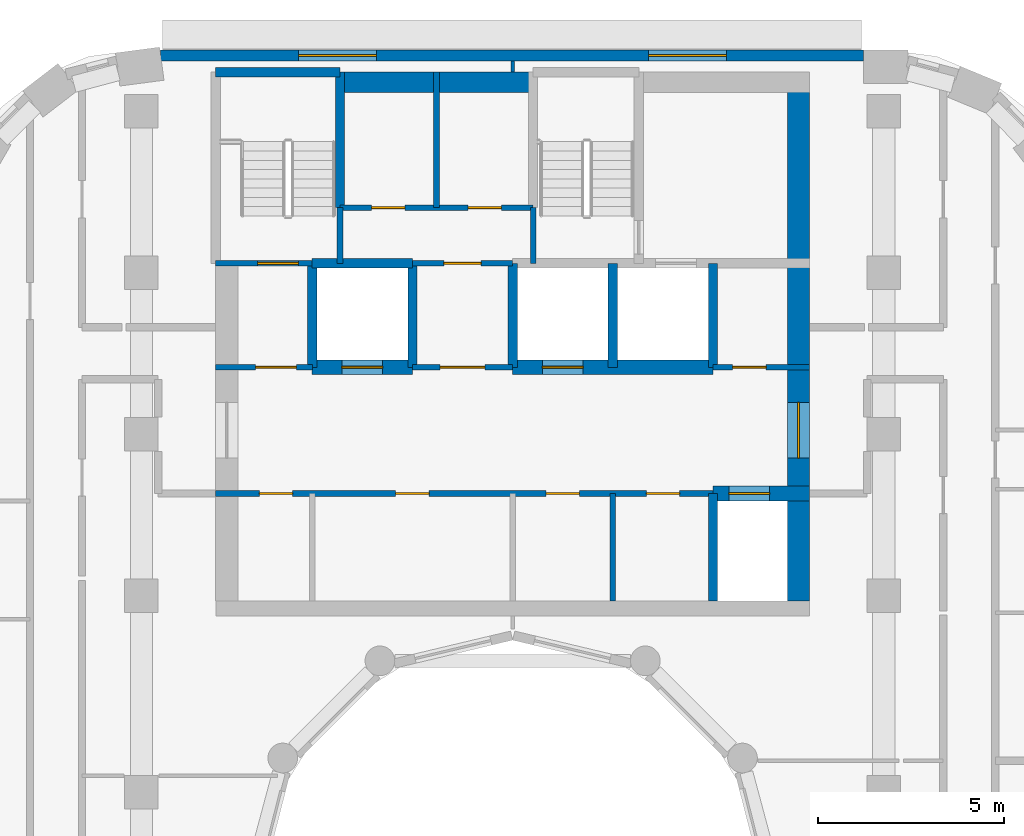
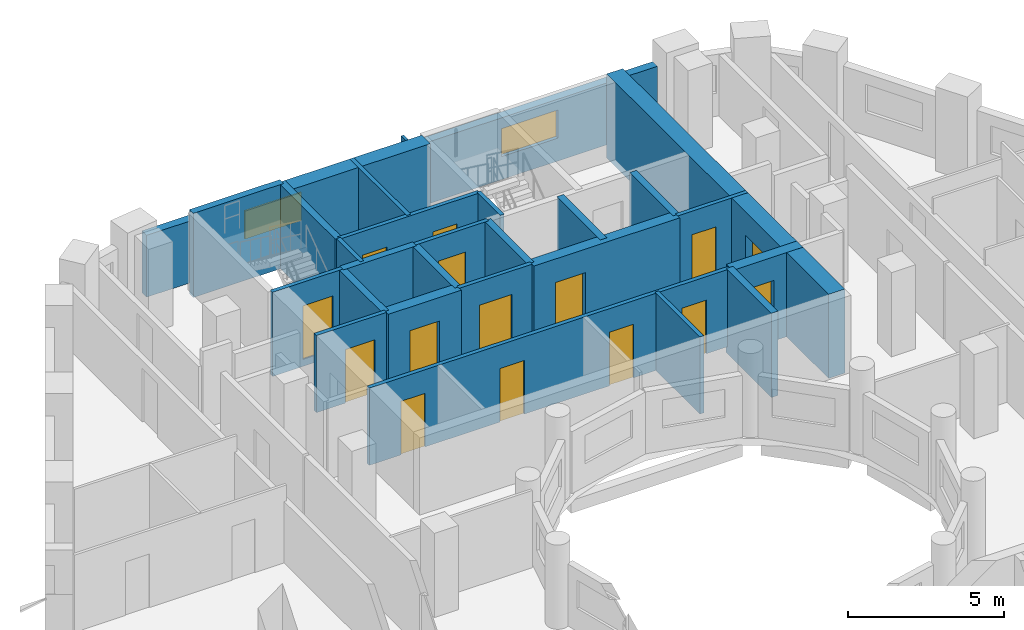
# One storey, part 8 of 16: 27 walls, 15 doors, 2 windows, 17 openings.
"""IFC4 building model written with IfcOpenShell, lengths in metres."""

from ifc_helpers import new_model, si_unit, direction, frame, frame_2d, origin, place, context, subcontext, project, spatial, rectangle, extrude, material, layer, layer_set, type_object, element, fill, save


model = new_model("IFC4")

# Units and contexts
model_context = context("Model", 3, precision=1e-05, world=origin(), true_north=direction((0.0, 1.0)))
body_context = subcontext(model_context, "Body", "Model", "MODEL_VIEW")
ifc_project = project(units=[si_unit("LENGTHUNIT", "METRE"), si_unit("AREAUNIT", "SQUARE_METRE"), si_unit("VOLUMEUNIT", "CUBIC_METRE"), si_unit("PLANEANGLEUNIT", "RADIAN"), si_unit("MASSUNIT", "GRAM", prefix="KILO")], contexts=[model_context])

# Site, building, storey
site_placement = place(None, origin())
site = spatial("IfcSite", under=ifc_project, at=site_placement, CompositionType="ELEMENT")
building_placement = place(site_placement, origin())
building = spatial("IfcBuilding", under=site, at=building_placement, Name="Nakaniwa Court", CompositionType="ELEMENT")
storey_placement = place(building_placement, frame((0.0, 0.0, 199.800048828125)))
storey = spatial("IfcBuildingStorey", under=building, at=storey_placement, Name="L52", CompositionType="ELEMENT", Elevation=199.800048828125)

# Wall, openings, windows
ifc_material_1 = material(Name="Charcoal ceramic cladding")
ifc_layer_1 = layer(ifc_material_1, 0.02, Name="Ceramic cladding")
ifc_material_2 = material(Name="Ventilated air cavity")
ifc_layer_2 = layer(ifc_material_2, 0.04, ventilated=True, Name="Ventilated cavity")
ifc_material_3 = material(Name="Mineral wool insulation")
ifc_layer_3 = layer(ifc_material_3, 0.1, Name="Insulation")
ifc_material_4 = material(Name="Cement bonded sheathing board")
ifc_layer_4 = layer(ifc_material_4, 0.012, Name="Sheathing")
ifc_material_5 = material(Name="Cold-formed galvanised stud frame with mineral wool infill")
ifc_layer_5 = layer(ifc_material_5, 0.1, Name="Stud frame")
ifc_material_6 = material(Name="Fire-rated gypsum plasterboard lining")
ifc_layer_6 = layer(ifc_material_6, 0.028, Name="Lining")
ifc_layer_set_1 = layer_set([ifc_layer_1, ifc_layer_2, ifc_layer_3, ifc_layer_4, ifc_layer_5, ifc_layer_6], Name="Charcoal ceramic faced external wall system")
wall_type_1 = type_object("IfcWallType", Name="Black ceramic faced external wall 300", PredefinedType="SOLIDWALL", material=ifc_layer_set_1)
wall_1_placement = place(storey_placement, frame((89.44921875, 102.5, 0.0), z_axis=(0.0, 0.0, 1.0), x_axis=(-1.0, 0.0, 0.0)))
wall_1 = element("IfcWall", 1, at=wall_1_placement, inside=storey, type_object=wall_type_1, Name="L52 external wall 08", PredefinedType="SOLIDWALL", context=body_context, shape_type="SweptSolid", body=[
    extrude(rectangle(XDim=18.932861328125, YDim=0.300048828125, at=frame_2d((9.46630859375, 0.0))), origin(), (0.0, 0.0, 1.0), 2.425048828125),
])
opening_1_placement = place(wall_1_placement, frame((3.6865234375, 0.0, 0.89990234375)))
opening_1 = element("IfcOpeningElement", 2, at=opening_1_placement, cuts=wall_1, Name="Opening W7.10", PredefinedType="OPENING", context=body_context, shape_type="SweptSolid", body=[
    extrude(rectangle(XDim=2.10009765625, YDim=1.10009765625, at=frame_2d((1.050048828125, 0.550048828125))), frame((0.0, 0.159912109375, 0.0), z_axis=(0.0, -1.0, 0.0), x_axis=(1.0, 0.0, 0.0)), (0.0, 0.0, 1.0), 0.320068359375),
])
opening_2_placement = place(wall_1_placement, frame((13.117919921875, 0.0, 0.89990234375)))
opening_2 = element("IfcOpeningElement", 3, at=opening_2_placement, cuts=wall_1, Name="Opening W7.11", PredefinedType="OPENING", context=body_context, shape_type="SweptSolid", body=[
    extrude(rectangle(XDim=2.10009765625, YDim=1.10009765625, at=frame_2d((1.050048828125, 0.550048828125))), frame((0.0, 0.159912109375, 0.0), z_axis=(0.0, -1.0, 0.0), x_axis=(1.0, 0.0, 0.0)), (0.0, 0.0, 1.0), 0.320068359375),
])
ifc_material_7 = material(Name="Black anodised aluminium frame with dark low-E laminated double glazing", Category="aluminium")
window_type = type_object("IfcWindowType", Name="Dark glass window 2100x1100 sill 900", PartitioningType="SINGLE_PANEL", PredefinedType="WINDOW", material=ifc_material_7)
window_1_placement = place(opening_1_placement, origin())
window_1 = element("IfcWindow", 4, at=window_1_placement, inside=storey, type_object=window_type, Name="L52 habitable room window 08-0", OverallHeight=1.10009765625, OverallWidth=2.10009765625, PartitioningType="SINGLE_PANEL", PredefinedType="WINDOW", context=body_context, shape_type="SweptSolid", body=[
    extrude(rectangle(XDim=2.10009765625, YDim=1.10009765625, at=frame_2d((1.050048828125, 0.550048828125))), frame((0.0, 0.030029296875, 0.0), z_axis=(0.0, -1.0, 0.0), x_axis=(1.0, 0.0, 0.0)), (0.0, 0.0, 1.0), 0.06005859375),
])
fill(opening_1, window_1)
window_2_placement = place(opening_2_placement, origin())
window_2 = element("IfcWindow", 5, at=window_2_placement, inside=storey, type_object=window_type, Name="L52 habitable room window 08-1", OverallHeight=1.10009765625, OverallWidth=2.10009765625, PartitioningType="SINGLE_PANEL", PredefinedType="WINDOW", context=body_context, shape_type="SweptSolid", body=[
    extrude(rectangle(XDim=2.10009765625, YDim=1.10009765625, at=frame_2d((1.050048828125, 0.550048828125))), frame((0.0, 0.030029296875, 0.0), z_axis=(0.0, -1.0, 0.0), x_axis=(1.0, 0.0, 0.0)), (0.0, 0.0, 1.0), 0.06005859375),
])
fill(opening_2, window_2)

# Wall, openings, doors
ifc_material_8 = material(Name="Blockwork partition", Category="masonry")
ifc_layer_7 = layer(ifc_material_8, 0.14990234375)
ifc_layer_set_2 = layer_set([ifc_layer_7], Name="Blockwork partition")
wall_type_2 = type_object("IfcWallType", Name="Blockwork partition 150", PredefinedType="PARTITIONING", material=ifc_layer_set_2)
wall_2_placement = place(storey_placement, frame((85.39990234375, 90.699951171875, 0.0), z_axis=(0.0, 0.0, 1.0), x_axis=(-1.0, 0.0, 0.0)))
wall_2 = element("IfcWall", 6, at=wall_2_placement, inside=storey, type_object=wall_type_2, Name="Partition PW-002", PredefinedType="PARTITIONING", context=body_context, shape_type="SweptSolid", body=[
    extrude(rectangle(XDim=13.39990234375, YDim=0.14990234375, at=frame_2d((6.699951171875, 0.0))), origin(), (0.0, 0.0, 1.0), 3.02490234375),
])
opening_3_placement = place(wall_2_placement, frame((11.324951171875, 0.0, 0.0)))
opening_3 = element("IfcOpeningElement", 7, at=opening_3_placement, cuts=wall_2, Name="Opening D-05-01", PredefinedType="OPENING", context=body_context, shape_type="SweptSolid", body=[
    extrude(rectangle(XDim=0.89990234375, YDim=2.10009765625, at=frame_2d((0.449951171875, 1.050048828125))), frame((0.0, 0.0849609375, 0.0), z_axis=(0.0, -1.0, 0.0), x_axis=(1.0, 0.0, 0.0)), (0.0, 0.0, 1.0), 0.169921875),
])
opening_4_placement = place(wall_2_placement, frame((7.64990234375, 0.0, 0.0)))
opening_4 = element("IfcOpeningElement", 8, at=opening_4_placement, cuts=wall_2, Name="Opening D-05-02", PredefinedType="OPENING", context=body_context, shape_type="SweptSolid", body=[
    extrude(rectangle(XDim=0.89990234375, YDim=2.10009765625, at=frame_2d((0.449951171875, 1.050048828125))), frame((0.0, 0.0849609375, 0.0), z_axis=(0.0, -1.0, 0.0), x_axis=(1.0, 0.0, 0.0)), (0.0, 0.0, 1.0), 0.169921875),
])
opening_5_placement = place(wall_2_placement, frame((3.60009765625, 0.0, 0.0)))
opening_5 = element("IfcOpeningElement", 9, at=opening_5_placement, cuts=wall_2, Name="Opening D-05-03", PredefinedType="OPENING", context=body_context, shape_type="SweptSolid", body=[
    extrude(rectangle(XDim=0.89990234375, YDim=2.10009765625, at=frame_2d((0.449951171875, 1.050048828125))), frame((0.0, 0.0849609375, 0.0), z_axis=(0.0, -1.0, 0.0), x_axis=(1.0, 0.0, 0.0)), (0.0, 0.0, 1.0), 0.169921875),
])
opening_6_placement = place(wall_2_placement, frame((0.89990234375, 0.0, 0.0)))
opening_6 = element("IfcOpeningElement", 10, at=opening_6_placement, cuts=wall_2, Name="Opening D-05-04", PredefinedType="OPENING", context=body_context, shape_type="SweptSolid", body=[
    extrude(rectangle(XDim=0.89990234375, YDim=2.10009765625, at=frame_2d((0.449951171875, 1.050048828125))), frame((0.0, 0.0849609375, 0.0), z_axis=(0.0, -1.0, 0.0), x_axis=(1.0, 0.0, 0.0)), (0.0, 0.0, 1.0), 0.169921875),
])
ifc_material_9 = material(Name="Fire rated steel door set", Category="steel")
door_type_1 = type_object("IfcDoorType", Name="Service room door 900", OperationType="NOTDEFINED", PredefinedType="DOOR", material=ifc_material_9)
door_1_placement = place(opening_3_placement, origin())
door_1 = element("IfcDoor", 11, at=door_1_placement, inside=storey, type_object=door_type_1, Name="Door D-05-01 L52-001", OperationType="SINGLE_SWING_RIGHT", OverallHeight=2.10009765625, OverallWidth=0.89990234375, PredefinedType="DOOR", context=body_context, shape_type="SweptSolid", body=[
    extrude(rectangle(XDim=0.89990234375, YDim=2.10009765625, at=frame_2d((0.449951171875, 1.050048828125))), frame((0.0, 0.02490234375, 0.0), z_axis=(0.0, -1.0, 0.0), x_axis=(1.0, 0.0, 0.0)), (0.0, 0.0, 1.0), 0.050048828125),
])
fill(opening_3, door_1)
door_2_placement = place(opening_4_placement, origin())
door_2 = element("IfcDoor", 12, at=door_2_placement, inside=storey, type_object=door_type_1, Name="Door D-05-02 L52-002", OperationType="SINGLE_SWING_LEFT", OverallHeight=2.10009765625, OverallWidth=0.89990234375, PredefinedType="DOOR", context=body_context, shape_type="SweptSolid", body=[
    extrude(rectangle(XDim=0.89990234375, YDim=2.10009765625, at=frame_2d((0.449951171875, 1.050048828125))), frame((0.0, 0.02490234375, 0.0), z_axis=(0.0, -1.0, 0.0), x_axis=(1.0, 0.0, 0.0)), (0.0, 0.0, 1.0), 0.050048828125),
])
fill(opening_4, door_2)
door_3_placement = place(opening_5_placement, origin())
door_3 = element("IfcDoor", 13, at=door_3_placement, inside=storey, type_object=door_type_1, Name="Door D-05-03 L52-003", OperationType="SINGLE_SWING_RIGHT", OverallHeight=2.10009765625, OverallWidth=0.89990234375, PredefinedType="DOOR", context=body_context, shape_type="SweptSolid", body=[
    extrude(rectangle(XDim=0.89990234375, YDim=2.10009765625, at=frame_2d((0.449951171875, 1.050048828125))), frame((0.0, 0.02490234375, 0.0), z_axis=(0.0, -1.0, 0.0), x_axis=(1.0, 0.0, 0.0)), (0.0, 0.0, 1.0), 0.050048828125),
])
fill(opening_5, door_3)
door_4_placement = place(opening_6_placement, origin())
door_4 = element("IfcDoor", 14, at=door_4_placement, inside=storey, type_object=door_type_1, Name="Door D-05-04 L52-004", OperationType="SINGLE_SWING_LEFT", OverallHeight=2.10009765625, OverallWidth=0.89990234375, PredefinedType="DOOR", context=body_context, shape_type="SweptSolid", body=[
    extrude(rectangle(XDim=0.89990234375, YDim=2.10009765625, at=frame_2d((0.449951171875, 1.050048828125))), frame((0.0, 0.02490234375, 0.0), z_axis=(0.0, -1.0, 0.0), x_axis=(1.0, 0.0, 0.0)), (0.0, 0.0, 1.0), 0.050048828125),
])
fill(opening_6, door_4)

# Wall
wall_3_placement = place(storey_placement, frame((82.699951171875, 87.800048828125, 0.0), z_axis=(0.0, 0.0, 1.0), x_axis=(0.0, 1.0, 0.0)))
element("IfcWall", 15, at=wall_3_placement, inside=storey, type_object=wall_type_2, Name="Partition PW-009", PredefinedType="PARTITIONING", context=body_context, shape_type="SweptSolid", body=[
    extrude(rectangle(XDim=2.89990234375, YDim=0.14990234375, at=frame_2d((1.449951171875, 0.0))), origin(), (0.0, 0.0, 1.0), 3.02490234375),
])

# Wall, opening, door
wall_4_placement = place(storey_placement, frame((72.0, 94.10009765625, 0.0), z_axis=(0.0, 0.0, 1.0), x_axis=(1.0, 0.0, 0.0)))
wall_4 = element("IfcWall", 16, at=wall_4_placement, inside=storey, type_object=wall_type_2, Name="Partition PW-010", PredefinedType="PARTITIONING", context=body_context, shape_type="SweptSolid", body=[
    extrude(rectangle(XDim=2.60302734375, YDim=0.14990234375, at=frame_2d((1.301513671875, 0.0))), origin(), (0.0, 0.0, 1.0), 3.02490234375),
])
opening_7_placement = place(wall_4_placement, frame((1.074951171875, 0.0, 0.0)))
opening_7 = element("IfcOpeningElement", 17, at=opening_7_placement, cuts=wall_4, Name="Opening D-08-01", PredefinedType="OPENING", context=body_context, shape_type="SweptSolid", body=[
    extrude(rectangle(XDim=1.10009765625, YDim=2.10009765625, at=frame_2d((0.550048828125, 1.050048828125))), frame((0.0, 0.0849609375, 0.0), z_axis=(0.0, -1.0, 0.0), x_axis=(1.0, 0.0, 0.0)), (0.0, 0.0, 1.0), 0.169921875),
])
door_type_2 = type_object("IfcDoorType", Name="Stair lobby door 1100", OperationType="NOTDEFINED", PredefinedType="DOOR", material=ifc_material_9)
door_5_placement = place(opening_7_placement, origin())
door_5 = element("IfcDoor", 18, at=door_5_placement, inside=storey, type_object=door_type_2, Name="Door D-08-01 L52-005", OperationType="SINGLE_SWING_RIGHT", OverallHeight=2.10009765625, OverallWidth=1.10009765625, PredefinedType="DOOR", context=body_context, shape_type="SweptSolid", body=[
    extrude(rectangle(XDim=1.10009765625, YDim=2.10009765625, at=frame_2d((0.550048828125, 1.050048828125))), frame((0.0, 0.02490234375, 0.0), z_axis=(0.0, -1.0, 0.0), x_axis=(1.0, 0.0, 0.0)), (0.0, 0.0, 1.0), 0.050048828125),
])
fill(opening_7, door_5)

wall_5_placement = place(storey_placement, frame((77.297119140625, 94.10009765625, 0.0), z_axis=(0.0, 0.0, 1.0), x_axis=(1.0, 0.0, 0.0)))
wall_5 = element("IfcWall", 19, at=wall_5_placement, inside=storey, type_object=wall_type_2, Name="Partition PW-011", PredefinedType="PARTITIONING", context=body_context, shape_type="SweptSolid", body=[
    extrude(rectangle(XDim=2.705810546875, YDim=0.14990234375, at=frame_2d((1.35302734375, 0.0))), origin(), (0.0, 0.0, 1.0), 3.02490234375),
])
opening_8_placement = place(wall_5_placement, frame((0.7529296875, 0.0, 0.0)))
opening_8 = element("IfcOpeningElement", 20, at=opening_8_placement, cuts=wall_5, Name="Opening D-06-01", PredefinedType="OPENING", context=body_context, shape_type="SweptSolid", body=[
    extrude(rectangle(XDim=1.199951171875, YDim=2.10009765625, at=frame_2d((0.60009765625, 1.050048828125))), frame((0.0, 0.0849609375, 0.0), z_axis=(0.0, -1.0, 0.0), x_axis=(1.0, 0.0, 0.0)), (0.0, 0.0, 1.0), 0.169921875),
])
ifc_material_10 = material(Name="Fire rated steel double door set", Category="steel")
door_type_3 = type_object("IfcDoorType", Name="Service passage double door 1200", OperationType="NOTDEFINED", PredefinedType="DOOR", material=ifc_material_10)
door_6_placement = place(opening_8_placement, origin())
door_6 = element("IfcDoor", 21, at=door_6_placement, inside=storey, type_object=door_type_3, Name="Door D-06-01 L52-006", OperationType="DOUBLE_DOOR_SINGLE_SWING", OverallHeight=2.10009765625, OverallWidth=1.199951171875, PredefinedType="DOOR", context=body_context, shape_type="SweptSolid", body=[
    extrude(rectangle(XDim=1.199951171875, YDim=2.10009765625, at=frame_2d((0.60009765625, 1.050048828125))), frame((0.0, 0.02490234375, 0.0), z_axis=(0.0, -1.0, 0.0), x_axis=(1.0, 0.0, 0.0)), (0.0, 0.0, 1.0), 0.050048828125),
])
fill(opening_8, door_6)

wall_6_placement = place(storey_placement, frame((85.39697265625, 94.10009765625, 0.0), z_axis=(0.0, 0.0, 1.0), x_axis=(1.0, 0.0, 0.0)))
wall_6 = element("IfcWall", 22, at=wall_6_placement, inside=storey, type_object=wall_type_2, Name="Partition PW-012", PredefinedType="PARTITIONING", context=body_context, shape_type="SweptSolid", body=[
    extrude(rectangle(XDim=2.60302734375, YDim=0.14990234375, at=frame_2d((1.301513671875, 0.0))), origin(), (0.0, 0.0, 1.0), 3.02490234375),
])
opening_9_placement = place(wall_6_placement, frame((0.528076171875, 0.0, 0.0)))
opening_9 = element("IfcOpeningElement", 23, at=opening_9_placement, cuts=wall_6, Name="Opening D-05-05", PredefinedType="OPENING", context=body_context, shape_type="SweptSolid", body=[
    extrude(rectangle(XDim=0.89990234375, YDim=2.10009765625, at=frame_2d((0.449951171875, 1.050048828125))), frame((0.0, 0.0849609375, 0.0), z_axis=(0.0, -1.0, 0.0), x_axis=(1.0, 0.0, 0.0)), (0.0, 0.0, 1.0), 0.169921875),
])
door_7_placement = place(opening_9_placement, origin())
door_7 = element("IfcDoor", 24, at=door_7_placement, inside=storey, type_object=door_type_1, Name="Door D-05-05 L52-007", OperationType="SINGLE_SWING_RIGHT", OverallHeight=2.10009765625, OverallWidth=0.89990234375, PredefinedType="DOOR", context=body_context, shape_type="SweptSolid", body=[
    extrude(rectangle(XDim=0.89990234375, YDim=2.10009765625, at=frame_2d((0.449951171875, 1.050048828125))), frame((0.0, 0.02490234375, 0.0), z_axis=(0.0, -1.0, 0.0), x_axis=(1.0, 0.0, 0.0)), (0.0, 0.0, 1.0), 0.050048828125),
])
fill(opening_9, door_7)

wall_7_placement = place(storey_placement, frame((77.300048828125, 96.89990234375, 0.0), z_axis=(0.0, 0.0, 1.0), x_axis=(1.0, 0.0, 0.0)))
wall_7 = element("IfcWall", 25, at=wall_7_placement, inside=storey, type_object=wall_type_2, Name="Partition PW-021", PredefinedType="PARTITIONING", context=body_context, shape_type="SweptSolid", body=[
    extrude(rectangle(XDim=2.699951171875, YDim=0.14990234375, at=frame_2d((1.35009765625, 0.0))), origin(), (0.0, 0.0, 1.0), 3.02490234375),
])
opening_10_placement = place(wall_7_placement, frame((0.85009765625, 0.0, 0.0)))
opening_10 = element("IfcOpeningElement", 26, at=opening_10_placement, cuts=wall_7, Name="Opening D-23-01", PredefinedType="OPENING", context=body_context, shape_type="SweptSolid", body=[
    extrude(rectangle(XDim=1.0, YDim=2.10009765625, at=frame_2d((0.5, 1.050048828125))), frame((0.0, 0.0849609375, 0.0), z_axis=(0.0, -1.0, 0.0), x_axis=(1.0, 0.0, 0.0)), (0.0, 0.0, 1.0), 0.169921875),
])
door_type_4 = type_object("IfcDoorType", Name="Service room door 1000", OperationType="NOTDEFINED", PredefinedType="DOOR", material=ifc_material_9)
door_8_placement = place(opening_10_placement, origin())
door_8 = element("IfcDoor", 27, at=door_8_placement, inside=storey, type_object=door_type_4, Name="Door D-23-01 L52-008", OperationType="SINGLE_SWING_LEFT", OverallHeight=2.10009765625, OverallWidth=1.0, PredefinedType="DOOR", context=body_context, shape_type="SweptSolid", body=[
    extrude(rectangle(XDim=1.0, YDim=2.10009765625, at=frame_2d((0.5, 1.050048828125))), frame((0.0, 0.02490234375, 0.0), z_axis=(0.0, -1.0, 0.0), x_axis=(1.0, 0.0, 0.0)), (0.0, 0.0, 1.0), 0.050048828125),
])
fill(opening_10, door_8)

# Wall, openings, doors
wall_8_placement = place(storey_placement, frame((75.35009765625, 98.39990234375, 0.0), z_axis=(0.0, 0.0, 1.0), x_axis=(1.0, 0.0, 0.0)))
wall_8 = element("IfcWall", 28, at=wall_8_placement, inside=storey, type_object=wall_type_2, Name="Partition PW-033", PredefinedType="PARTITIONING", context=body_context, shape_type="SweptSolid", body=[
    extrude(rectangle(XDim=5.199951171875, YDim=0.14990234375, at=frame_2d((2.60009765625, 0.0))), origin(), (0.0, 0.0, 1.0), 3.02490234375),
])
opening_11_placement = place(wall_8_placement, frame((0.85009765625, 0.0, 0.0)))
opening_11 = element("IfcOpeningElement", 29, at=opening_11_placement, cuts=wall_8, Name="Opening D-05-06", PredefinedType="OPENING", context=body_context, shape_type="SweptSolid", body=[
    extrude(rectangle(XDim=0.89990234375, YDim=2.10009765625, at=frame_2d((0.449951171875, 1.050048828125))), frame((0.0, 0.0849609375, 0.0), z_axis=(0.0, -1.0, 0.0), x_axis=(1.0, 0.0, 0.0)), (0.0, 0.0, 1.0), 0.169921875),
])
opening_12_placement = place(wall_8_placement, frame((3.449951171875, 0.0, 0.0)))
opening_12 = element("IfcOpeningElement", 30, at=opening_12_placement, cuts=wall_8, Name="Opening D-05-07", PredefinedType="OPENING", context=body_context, shape_type="SweptSolid", body=[
    extrude(rectangle(XDim=0.89990234375, YDim=2.10009765625, at=frame_2d((0.449951171875, 1.050048828125))), frame((0.0, 0.0849609375, 0.0), z_axis=(0.0, -1.0, 0.0), x_axis=(1.0, 0.0, 0.0)), (0.0, 0.0, 1.0), 0.169921875),
])
door_9_placement = place(opening_11_placement, origin())
door_9 = element("IfcDoor", 31, at=door_9_placement, inside=storey, type_object=door_type_1, Name="Door D-05-06 L52-009", OperationType="SINGLE_SWING_RIGHT", OverallHeight=2.10009765625, OverallWidth=0.89990234375, PredefinedType="DOOR", context=body_context, shape_type="SweptSolid", body=[
    extrude(rectangle(XDim=0.89990234375, YDim=2.10009765625, at=frame_2d((0.449951171875, 1.050048828125))), frame((0.0, 0.02490234375, 0.0), z_axis=(0.0, -1.0, 0.0), x_axis=(1.0, 0.0, 0.0)), (0.0, 0.0, 1.0), 0.050048828125),
])
fill(opening_11, door_9)
door_10_placement = place(opening_12_placement, origin())
door_10 = element("IfcDoor", 32, at=door_10_placement, inside=storey, type_object=door_type_1, Name="Door D-05-07 L52-010", OperationType="SINGLE_SWING_LEFT", OverallHeight=2.10009765625, OverallWidth=0.89990234375, PredefinedType="DOOR", context=body_context, shape_type="SweptSolid", body=[
    extrude(rectangle(XDim=0.89990234375, YDim=2.10009765625, at=frame_2d((0.449951171875, 1.050048828125))), frame((0.0, 0.02490234375, 0.0), z_axis=(0.0, -1.0, 0.0), x_axis=(1.0, 0.0, 0.0)), (0.0, 0.0, 1.0), 0.050048828125),
])
fill(opening_12, door_10)

# Wall
wall_9_placement = place(storey_placement, frame((77.949951171875, 98.39990234375, 0.0), z_axis=(0.0, 0.0, 1.0), x_axis=(0.0, 1.0, 0.0)))
element("IfcWall", 33, at=wall_9_placement, inside=storey, type_object=wall_type_2, Name="Partition PW-034", PredefinedType="PARTITIONING", context=body_context, shape_type="SweptSolid", body=[
    extrude(rectangle(XDim=3.650146484375, YDim=0.14990234375, at=frame_2d((1.8251953125, 0.0))), origin(), (0.0, 0.0, 1.0), 3.02490234375),
])

# Wall, opening, door
ifc_material_11 = material(Name="Concrete C80/100", Category="concrete")
ifc_layer_8 = layer(ifc_material_11, 0.60009765625)
ifc_layer_set_3 = layer_set([ifc_layer_8], Name="Concrete C80/100")
wall_type_3 = type_object("IfcWallType", Name="Concrete core side wall 600 C80", PredefinedType="SHEAR", material=ifc_layer_set_3)
wall_10_placement = place(storey_placement, frame((87.699951171875, 102.050048828125, -0.275146484375), z_axis=(0.0, 0.0, 1.0), x_axis=(0.0, -1.0, 0.0)))
wall_10 = element("IfcWall", 34, at=wall_10_placement, inside=storey, type_object=wall_type_3, Name="Core wall SW-07", PredefinedType="SHEAR", context=body_context, shape_type="SweptSolid", body=[
    extrude(rectangle(XDim=14.25, YDim=0.60009765625, at=frame_2d((7.125, 0.0))), origin(), (0.0, 0.0, 1.0), 3.300048828125),
])
opening_13_placement = place(wall_10_placement, frame((8.89794921875, 0.0, 0.27490234375)))
opening_13 = element("IfcOpeningElement", 35, at=opening_13_placement, cuts=wall_10, Name="Opening D-07-01", PredefinedType="OPENING", context=body_context, shape_type="SweptSolid", body=[
    extrude(rectangle(XDim=1.5, YDim=2.10009765625, at=frame_2d((0.75, 1.050048828125))), frame((0.0, 0.31005859375, 0.0), z_axis=(0.0, -1.0, 0.0), x_axis=(1.0, 0.0, 0.0)), (0.0, 0.0, 1.0), 0.6201171875),
])
ifc_material_12 = material(Name="Glazed fire rated steel double door set", Category="steel")
door_type_5 = type_object("IfcDoorType", Name="Lobby double door 1500", OperationType="NOTDEFINED", PredefinedType="DOOR", material=ifc_material_12)
door_11_placement = place(opening_13_placement, origin())
door_11 = element("IfcDoor", 36, at=door_11_placement, inside=storey, type_object=door_type_5, Name="Door D-07-01 L52-059", OperationType="DOUBLE_DOOR_SINGLE_SWING", OverallHeight=2.10009765625, OverallWidth=1.5, PredefinedType="DOOR", context=body_context, shape_type="SweptSolid", body=[
    extrude(rectangle(XDim=1.5, YDim=2.10009765625, at=frame_2d((0.75, 1.050048828125))), frame((0.0, 0.02490234375, 0.0), z_axis=(0.0, -1.0, 0.0), x_axis=(1.0, 0.0, 0.0)), (0.0, 0.0, 1.0), 0.050048828125),
])
fill(opening_13, door_11)

ifc_layer_9 = layer(ifc_material_11, 0.39990234375)
ifc_layer_set_4 = layer_set([ifc_layer_9], Name="Concrete C80/100")
wall_type_4 = type_object("IfcWallType", Name="Concrete core spine wall 400 C80", PredefinedType="SHEAR", material=ifc_layer_set_4)
wall_11_placement = place(storey_placement, frame((85.39990234375, 90.699951171875, -0.275146484375), z_axis=(0.0, 0.0, 1.0), x_axis=(1.0, 0.0, 0.0)))
wall_11 = element("IfcWall", 37, at=wall_11_placement, inside=storey, type_object=wall_type_4, Name="Core wall SW-06", PredefinedType="SHEAR", context=body_context, shape_type="SweptSolid", body=[
    extrude(rectangle(XDim=2.60009765625, YDim=0.39990234375, at=frame_2d((1.300048828125, 0.0))), origin(), (0.0, 0.0, 1.0), 3.300048828125),
])
opening_14_placement = place(wall_11_placement, frame((0.425048828125, 0.0, 0.27490234375)))
opening_14 = element("IfcOpeningElement", 38, at=opening_14_placement, cuts=wall_11, Name="Opening LD01", PredefinedType="OPENING", context=body_context, shape_type="SweptSolid", body=[
    extrude(rectangle(XDim=1.10009765625, YDim=2.10009765625, at=frame_2d((0.550048828125, 1.050048828125))), frame((0.0, 0.2099609375, 0.0), z_axis=(0.0, -1.0, 0.0), x_axis=(1.0, 0.0, 0.0)), (0.0, 0.0, 1.0), 0.419921875),
])
ifc_material_13 = material(Name="Stainless steel sliding lift landing door", Category="steel")
door_type_6 = type_object("IfcDoorType", Name="Lift landing door 1100", OperationType="NOTDEFINED", PredefinedType="DOOR", material=ifc_material_13)
door_12_placement = place(opening_14_placement, origin())
door_12 = element("IfcDoor", 39, at=door_12_placement, inside=storey, type_object=door_type_6, Name="Lift landing door LD01 L52-001", OperationType="SLIDING_TO_LEFT", OverallHeight=2.10009765625, OverallWidth=1.10009765625, PredefinedType="DOOR", context=body_context, shape_type="SweptSolid", body=[
    extrude(rectangle(XDim=1.10009765625, YDim=2.10009765625, at=frame_2d((0.550048828125, 1.050048828125))), frame((0.0, 0.02490234375, 0.0), z_axis=(0.0, -1.0, 0.0), x_axis=(1.0, 0.0, 0.0)), (0.0, 0.0, 1.0), 0.050048828125),
])
fill(opening_14, door_12)

wall_12_placement = place(storey_placement, frame((74.596923828125, 94.10009765625, -0.275146484375), z_axis=(0.0, 0.0, 1.0), x_axis=(1.0, 0.0, 0.0)))
wall_12 = element("IfcWall", 40, at=wall_12_placement, inside=storey, type_object=wall_type_4, Name="Core wall SW-13", PredefinedType="SHEAR", context=body_context, shape_type="SweptSolid", body=[
    extrude(rectangle(XDim=2.7060546875, YDim=0.39990234375, at=frame_2d((1.35302734375, 0.0))), origin(), (0.0, 0.0, 1.0), 3.300048828125),
])
opening_15_placement = place(wall_12_placement, frame((0.802978515625, 0.0, 0.27490234375)))
opening_15 = element("IfcOpeningElement", 41, at=opening_15_placement, cuts=wall_12, Name="Opening LD02", PredefinedType="OPENING", context=body_context, shape_type="SweptSolid", body=[
    extrude(rectangle(XDim=1.10009765625, YDim=2.10009765625, at=frame_2d((0.550048828125, 1.050048828125))), frame((0.0, 0.2099609375, 0.0), z_axis=(0.0, -1.0, 0.0), x_axis=(1.0, 0.0, 0.0)), (0.0, 0.0, 1.0), 0.419921875),
])
door_13_placement = place(opening_15_placement, origin())
door_13 = element("IfcDoor", 42, at=door_13_placement, inside=storey, type_object=door_type_6, Name="Lift landing door LD02 L52-002", OperationType="SLIDING_TO_LEFT", OverallHeight=2.10009765625, OverallWidth=1.10009765625, PredefinedType="DOOR", context=body_context, shape_type="SweptSolid", body=[
    extrude(rectangle(XDim=1.10009765625, YDim=2.10009765625, at=frame_2d((0.550048828125, 1.050048828125))), frame((0.0, 0.02490234375, 0.0), z_axis=(0.0, -1.0, 0.0), x_axis=(1.0, 0.0, 0.0)), (0.0, 0.0, 1.0), 0.050048828125),
])
fill(opening_15, door_13)

wall_13_placement = place(storey_placement, frame((79.9970703125, 94.10009765625, -0.275146484375), z_axis=(0.0, 0.0, 1.0), x_axis=(1.0, 0.0, 0.0)))
wall_13 = element("IfcWall", 43, at=wall_13_placement, inside=storey, type_object=wall_type_4, Name="Core wall SW-14", PredefinedType="SHEAR", context=body_context, shape_type="SweptSolid", body=[
    extrude(rectangle(XDim=5.406005859375, YDim=0.39990234375, at=frame_2d((2.703125, 0.0))), origin(), (0.0, 0.0, 1.0), 3.300048828125),
])
opening_16_placement = place(wall_13_placement, frame((0.802978515625, 0.0, 0.27490234375)))
opening_16 = element("IfcOpeningElement", 44, at=opening_16_placement, cuts=wall_13, Name="Opening LD03", PredefinedType="OPENING", context=body_context, shape_type="SweptSolid", body=[
    extrude(rectangle(XDim=1.10009765625, YDim=2.10009765625, at=frame_2d((0.550048828125, 1.050048828125))), frame((0.0, 0.2099609375, 0.0), z_axis=(0.0, -1.0, 0.0), x_axis=(1.0, 0.0, 0.0)), (0.0, 0.0, 1.0), 0.419921875),
])
door_14_placement = place(opening_16_placement, origin())
door_14 = element("IfcDoor", 45, at=door_14_placement, inside=storey, type_object=door_type_6, Name="Lift landing door LD03 L52-003", OperationType="SLIDING_TO_LEFT", OverallHeight=2.10009765625, OverallWidth=1.10009765625, PredefinedType="DOOR", context=body_context, shape_type="SweptSolid", body=[
    extrude(rectangle(XDim=1.10009765625, YDim=2.10009765625, at=frame_2d((0.550048828125, 1.050048828125))), frame((0.0, 0.02490234375, 0.0), z_axis=(0.0, -1.0, 0.0), x_axis=(1.0, 0.0, 0.0)), (0.0, 0.0, 1.0), 0.050048828125),
])
fill(opening_16, door_14)

ifc_layer_10 = layer(ifc_material_11, 0.14990234375)
ifc_layer_set_5 = layer_set([ifc_layer_10], Name="Concrete C80/100")
wall_type_5 = type_object("IfcWallType", Name="Concrete core wall 150 C80", PredefinedType="SHEAR", material=ifc_layer_set_5)
wall_14_placement = place(storey_placement, frame((74.60009765625, 96.89990234375, -0.275146484375), z_axis=(0.0, 0.0, 1.0), x_axis=(-1.0, 0.0, 0.0)))
wall_14 = element("IfcWall", 46, at=wall_14_placement, inside=storey, type_object=wall_type_5, Name="Core wall SW-16", PredefinedType="SHEAR", context=body_context, shape_type="SweptSolid", body=[
    extrude(rectangle(XDim=2.60009765625, YDim=0.14990234375, at=frame_2d((1.300048828125, 0.0))), origin(), (0.0, 0.0, 1.0), 3.300048828125),
])
opening_17_placement = place(wall_14_placement, frame((0.3701171875, 0.0, 0.27490234375)))
opening_17 = element("IfcOpeningElement", 47, at=opening_17_placement, cuts=wall_14, Name="Opening D-09-01", PredefinedType="OPENING", context=body_context, shape_type="SweptSolid", body=[
    extrude(rectangle(XDim=1.10009765625, YDim=2.10009765625, at=frame_2d((0.550048828125, 1.050048828125))), frame((0.0, 0.0849609375, 0.0), z_axis=(0.0, -1.0, 0.0), x_axis=(1.0, 0.0, 0.0)), (0.0, 0.0, 1.0), 0.169921875),
])
door_type_7 = type_object("IfcDoorType", Name="Stair door 1100", OperationType="NOTDEFINED", PredefinedType="DOOR", material=ifc_material_9)
door_15_placement = place(opening_17_placement, origin())
door_15 = element("IfcDoor", 48, at=door_15_placement, inside=storey, type_object=door_type_7, Name="Door D-09-01 L52-011", OperationType="SINGLE_SWING_LEFT", OverallHeight=2.10009765625, OverallWidth=1.10009765625, PredefinedType="DOOR", context=body_context, shape_type="SweptSolid", body=[
    extrude(rectangle(XDim=1.10009765625, YDim=2.10009765625, at=frame_2d((0.550048828125, 1.050048828125))), frame((0.0, 0.02490234375, 0.0), z_axis=(0.0, -1.0, 0.0), x_axis=(1.0, 0.0, 0.0)), (0.0, 0.0, 1.0), 0.050048828125),
])
fill(opening_17, door_15)

# Walls
for number, where, z_axis, x_axis, name in (
    (49, (75.35009765625, 96.89990234375, -0.275146484375), (0.0, 0.0, 1.0), (0.0, 1.0, 0.0), "Core wall SW-23"),
    (50, (80.550048828125, 96.89990234375, -0.275146484375), (0.0, 0.0, 1.0), (0.0, 1.0, 0.0), "Core wall SW-29"),
):
    element("IfcWall", number, at=place(storey_placement, frame(where, z_axis=z_axis, x_axis=x_axis)), inside=storey, type_object=wall_type_5, Name=name, PredefinedType="SHEAR", context=body_context, shape_type="SweptSolid", body=[
        extrude(rectangle(XDim=1.503173828125, YDim=0.14990234375, at=frame_2d((0.75146484375, 0.0))), origin(), (0.0, 0.0, 1.0), 3.300048828125),
    ])
ifc_layer_11 = layer(ifc_material_11, 0.25)
ifc_layer_set_6 = layer_set([ifc_layer_11], Name="Concrete C80/100")
wall_type_6 = type_object("IfcWallType", Name="Concrete core wall 250 C80", PredefinedType="SHEAR", material=ifc_layer_set_6)
wall_15_placement = place(storey_placement, frame((72.0, 102.050048828125, -0.275146484375), z_axis=(0.0, 0.0, 1.0), x_axis=(1.0, 0.0, 0.0)))
element("IfcWall", 51, at=wall_15_placement, inside=storey, type_object=wall_type_6, Name="Core wall SW-25", PredefinedType="SHEAR", context=body_context, shape_type="SweptSolid", body=[
    extrude(rectangle(XDim=3.35009765625, YDim=0.25, at=frame_2d((1.675048828125, 0.0))), origin(), (0.0, 0.0, 1.0), 3.300048828125),
])
ifc_layer_12 = layer(ifc_material_11, 0.550048828125)
ifc_layer_set_7 = layer_set([ifc_layer_12], Name="Concrete C80/100")
wall_type_7 = type_object("IfcWallType", Name="Concrete core wall 550 C80", PredefinedType="SHEAR", material=ifc_layer_set_7)
wall_16_placement = place(storey_placement, frame((75.35009765625, 101.77490234375, -0.275146484375), z_axis=(0.0, 0.0, 1.0), x_axis=(1.0, 0.0, 0.0)))
element("IfcWall", 52, at=wall_16_placement, inside=storey, type_object=wall_type_7, Name="Core wall SW-31", PredefinedType="SHEAR", context=body_context, shape_type="SweptSolid", body=[
    extrude(rectangle(XDim=5.199951171875, YDim=0.550048828125, at=frame_2d((2.60009765625, 0.0))), origin(), (0.0, 0.0, 1.0), 3.300048828125),
])
ifc_layer_13 = layer(ifc_material_11, 0.25)
ifc_layer_set_8 = layer_set([ifc_layer_13], Name="Concrete C80/100")
wall_type_8 = type_object("IfcWallType", Name="Concrete shaft wall 250 C80", PredefinedType="SHEAR", material=ifc_layer_set_8)
wall_17_placement = place(storey_placement, frame((85.39990234375, 87.800048828125, -0.275146484375), z_axis=(0.0, 0.0, 1.0), x_axis=(0.0, 1.0, 0.0)))
element("IfcWall", 53, at=wall_17_placement, inside=storey, type_object=wall_type_8, Name="Core wall SW-04", PredefinedType="SHEAR", context=body_context, shape_type="SweptSolid", body=[
    extrude(rectangle(XDim=2.89990234375, YDim=0.25, at=frame_2d((1.449951171875, 0.0))), origin(), (0.0, 0.0, 1.0), 3.300048828125),
])
for number, where, z_axis, x_axis, name in (
    (54, (85.39990234375, 94.10009765625, -0.275146484375), (0.0, 0.0, 1.0), (0.0, 1.0, 0.0), "Core wall SW-05"),
    (55, (74.60009765625, 94.10009765625, -0.275146484375), (0.0, 0.0, 1.0), (0.0, 1.0, 0.0), "Core wall SW-15"),
    (56, (77.300048828125, 94.10009765625, -0.275146484375), (0.0, 0.0, 1.0), (0.0, 1.0, 0.0), "Core wall SW-17"),
):
    element("IfcWall", number, at=place(storey_placement, frame(where, z_axis=z_axis, x_axis=x_axis)), inside=storey, type_object=wall_type_8, Name=name, PredefinedType="SHEAR", context=body_context, shape_type="SweptSolid", body=[
        extrude(rectangle(XDim=2.7998046875, YDim=0.25, at=frame_2d((1.39990234375, 0.0))), origin(), (0.0, 0.0, 1.0), 3.300048828125),
    ])
wall_18_placement = place(storey_placement, frame((74.60009765625, 96.89990234375, -0.275146484375), z_axis=(0.0, 0.0, 1.0), x_axis=(1.0, 0.0, 0.0)))
element("IfcWall", 57, at=wall_18_placement, inside=storey, type_object=wall_type_8, Name="Core wall SW-18", PredefinedType="SHEAR", context=body_context, shape_type="SweptSolid", body=[
    extrude(rectangle(XDim=2.699951171875, YDim=0.25, at=frame_2d((1.35009765625, 0.0))), origin(), (0.0, 0.0, 1.0), 3.300048828125),
])
for number, where, z_axis, x_axis, name in (
    (58, (80.0, 94.10009765625, -0.275146484375), (0.0, 0.0, 1.0), (0.0, 1.0, 0.0), "Core wall SW-20"),
    (59, (82.699951171875, 94.10009765625, -0.275146484375), (0.0, 0.0, 1.0), (0.0, 1.0, 0.0), "Core wall SW-22"),
):
    element("IfcWall", number, at=place(storey_placement, frame(where, z_axis=z_axis, x_axis=x_axis)), inside=storey, type_object=wall_type_8, Name=name, PredefinedType="SHEAR", context=body_context, shape_type="SweptSolid", body=[
        extrude(rectangle(XDim=2.7998046875, YDim=0.25, at=frame_2d((1.39990234375, 0.0))), origin(), (0.0, 0.0, 1.0), 3.300048828125),
    ])
wall_19_placement = place(storey_placement, frame((75.35009765625, 98.39697265625, -0.275146484375), z_axis=(0.0, 0.0, 1.0), x_axis=(0.0, 1.0, 0.0)))
element("IfcWall", 60, at=wall_19_placement, inside=storey, type_object=wall_type_8, Name="Core wall SW-24", PredefinedType="SHEAR", context=body_context, shape_type="SweptSolid", body=[
    extrude(rectangle(XDim=3.653076171875, YDim=0.25, at=frame_2d((1.82666015625, 0.0))), origin(), (0.0, 0.0, 1.0), 3.300048828125),
])
ifc_material_14 = material(Name="Single stud plasterboard partition")
ifc_layer_14 = layer(ifc_material_14, 0.10009765625)
ifc_layer_set_9 = layer_set([ifc_layer_14], Name="Single stud plasterboard partition")
wall_type_9 = type_object("IfcWallType", Name="Single stud plasterboard partition 100", PredefinedType="PARTITIONING", material=ifc_layer_set_9)
wall_20_placement = place(storey_placement, frame((80.0, 102.050048828125, 0.0), z_axis=(0.0, 0.0, 1.0), x_axis=(0.0, 1.0, 0.0)))
element("IfcWall", 61, at=wall_20_placement, inside=storey, type_object=wall_type_9, Name="Partition PW-110", PredefinedType="PARTITIONING", context=body_context, shape_type="SweptSolid", body=[
    extrude(rectangle(XDim=0.2998046875, YDim=0.10009765625, at=frame_2d((0.14990234375, 0.0))), origin(), (0.0, 0.0, 1.0), 3.02490234375),
])

save(model, "model.ifc")
